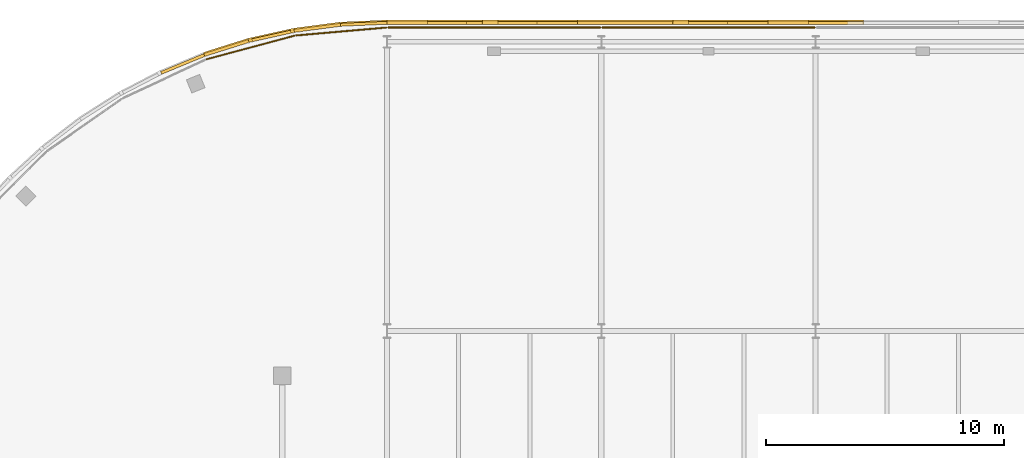
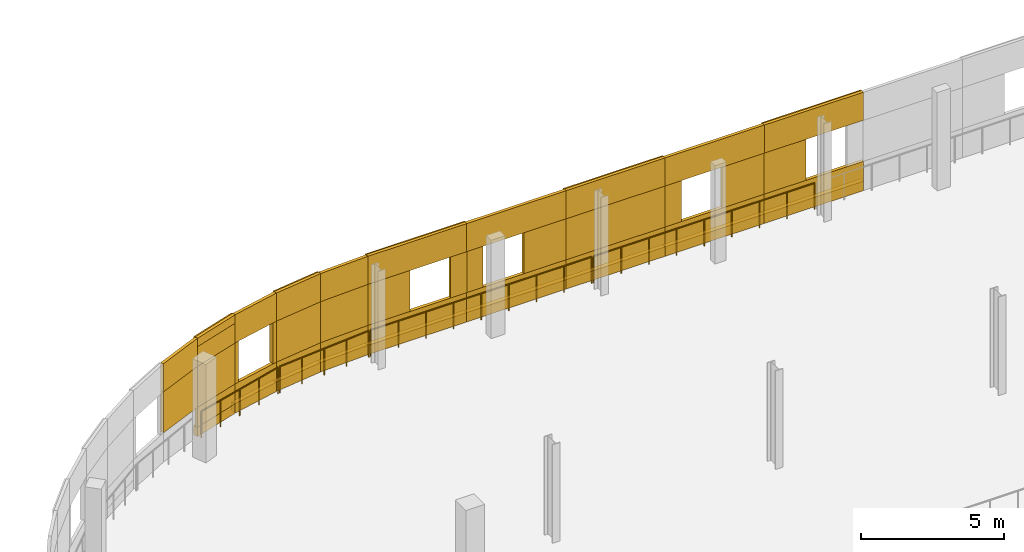
# One storey, part 125 of 135: 47 coverings, 4 railings.
"""IFC4 building model written with IfcOpenShell, lengths in metres."""

import ifcopenshell
import ifcopenshell.guid

model = None  # the IFC model being written
_history = None  # IfcOwnerHistory: only IFC2X3 demands one
_inside = {}  # id of a spatial element -> (the spatial element, [elements in it])
_under = {}  # id of a project, library or spatial element -> (it, [spatial elements below it])
_declared = {}  # id of a project -> (the project, [libraries it declares])
_typed = {}  # id of a type object -> (the type object, [elements of that type])
_made_of = {}  # id of a material, layer set ... -> (it, [elements and type objects made of it])


def new_model(schema):
    """Start an empty IFC model of exactly this schema.

    Asked for "IFC4X3", IfcOpenShell would pick the latest addendum, in which some entities
    have other attributes; the version numbers below select the first issue.
    IFC2X3 requires an IfcOwnerHistory on every rooted entity: one is made here for all.
    """
    global model, _history
    if schema == "IFC4X3":
        model = ifcopenshell.file(schema_version=(4, 3, 0, 0))
    else:
        model = ifcopenshell.file(schema=schema)
    _inside.clear()
    _under.clear()
    _declared.clear()
    _typed.clear()
    _made_of.clear()
    _history = None
    if model.schema == "IFC2X3":
        org = make("IfcOrganization", Name="unknown")
        user = make(
            "IfcPersonAndOrganization",
            ThePerson=make("IfcPerson", FamilyName="unknown"),
            TheOrganization=org,
        )
        app = make(
            "IfcApplication",
            ApplicationDeveloper=org,
            Version="unknown",
            ApplicationFullName="unknown",
            ApplicationIdentifier="unknown",
        )
        _history = make(
            "IfcOwnerHistory",
            OwningUser=user,
            OwningApplication=app,
            ChangeAction="ADDED",
            CreationDate=0,
        )
    return model


def make(cls, **values):
    """One entity of the class cls with the attributes given. An attribute that is None is left unset."""
    return model.create_entity(
        cls, **{name: value for name, value in values.items() if value is not None}
    )


def rooted(cls, **values):
    """An entity with a GlobalId (a new one), such as an element, a storey or a relation."""
    return make(cls, GlobalId=ifcopenshell.guid.new(), OwnerHistory=_history, **values)


def si_unit(unit_type, name, prefix=None):
    """IfcSIUnit, for example si_unit("LENGTHUNIT", "METRE", prefix="MILLI")."""
    return make("IfcSIUnit", UnitType=unit_type, Prefix=prefix, Name=name)


def assignment(units):
    """IfcUnitAssignment: the units of a project."""
    return None if units is None else make("IfcUnitAssignment", Units=units)


def point(xyz):
    """IfcCartesianPoint."""
    return None if xyz is None else make("IfcCartesianPoint", Coordinates=xyz)


def direction(xyz):
    """IfcDirection."""
    return None if xyz is None else make("IfcDirection", DirectionRatios=xyz)


def frame(location, z_axis=None, x_axis=None):
    """IfcAxis2Placement3D, a coordinate frame: its origin and axes. An axis left out is left unset."""
    return make(
        "IfcAxis2Placement3D",
        Location=point(location),
        Axis=direction(z_axis),
        RefDirection=direction(x_axis),
    )


def frame_2d(location, x_axis=None):
    """IfcAxis2Placement2D, a coordinate frame in the plane: its origin and x axis."""
    return make(
        "IfcAxis2Placement2D", Location=point(location), RefDirection=direction(x_axis)
    )


def origin():
    """The frame at (0, 0, 0) with its axes left unset."""
    return frame((0.0, 0.0, 0.0))


def origin_2d():
    """The frame at (0, 0) in the plane with its x axis left unset."""
    return frame_2d((0.0, 0.0))


def place(relative_to, where):
    """IfcLocalPlacement: puts the frame where relative to a parent placement (None: the world)."""
    return make(
        "IfcLocalPlacement", PlacementRelTo=relative_to, RelativePlacement=where
    )


def context(
    kind, dimensions, precision=None, world=None, true_north=None, identifier=None
):
    """IfcGeometricRepresentationContext, for example the 3D "Model" context."""
    return make(
        "IfcGeometricRepresentationContext",
        ContextIdentifier=identifier,
        ContextType=kind,
        CoordinateSpaceDimension=dimensions,
        Precision=precision,
        WorldCoordinateSystem=world,
        TrueNorth=true_north,
    )


def subcontext(parent, identifier, kind, view, scale=None):
    """IfcGeometricRepresentationSubContext, for example "Body" below "Model"."""
    return make(
        "IfcGeometricRepresentationSubContext",
        ContextIdentifier=identifier,
        ContextType=kind,
        ParentContext=parent,
        TargetScale=scale,
        TargetView=view,
    )


def project(units=None, contexts=None):
    """IfcProject with its units and contexts."""
    return rooted(
        "IfcProject",
        Name="project",
        RepresentationContexts=contexts,
        UnitsInContext=assignment(units),
    )


def spatial(cls, under=None, at=None, **own):
    """A site, building, storey or space (cls), placed at a placement, below another one or the project."""
    s = rooted(cls, ObjectPlacement=at, **own)
    if under is not None:
        _under.setdefault(under.id(), (under, []))[1].append(s)
    return s


def profile(cls, at=None, kind="AREA", **sizes):
    """A parametric profile (cls). Its sizes go by their IFC names, for example OverallWidth=200.0."""
    return make(cls, ProfileType=kind, Position=at, **sizes)


def rectangle(**sizes):
    """IfcRectangleProfileDef."""
    return profile("IfcRectangleProfileDef", **sizes)


def circle(**sizes):
    """IfcCircleProfileDef."""
    return profile("IfcCircleProfileDef", **sizes)


def extrude(swept, where, along, depth):
    """IfcExtrudedAreaSolid: the profile swept, set in the frame where, extruded along a direction by depth."""
    return make(
        "IfcExtrudedAreaSolid",
        SweptArea=swept,
        Position=where,
        ExtrudedDirection=direction(along),
        Depth=depth,
    )


def shape(context_of_items, identifier, shape_type, items):
    """IfcShapeRepresentation: the items that make up one representation, for example the "Body"."""
    return make(
        "IfcShapeRepresentation",
        ContextOfItems=context_of_items,
        RepresentationIdentifier=identifier,
        RepresentationType=shape_type,
        Items=items,
    )


def material(Name=None, Category=None):
    """IfcMaterial."""
    return make("IfcMaterial", Name=Name, Category=Category)


def layer(
    of_material, thickness, ventilated=None, Name=None, Category=None, Priority=None
):
    """IfcMaterialLayer: one layer of a wall or slab, of a material (None: an air gap)."""
    return make(
        "IfcMaterialLayer",
        Material=of_material,
        LayerThickness=thickness,
        IsVentilated=ventilated,
        Name=Name,
        Category=Category,
        Priority=Priority,
    )


def layer_set(layers, Name=None):
    """IfcMaterialLayerSet."""
    return make("IfcMaterialLayerSet", MaterialLayers=layers, LayerSetName=Name)


def made_of(thing, what):
    """Note that an element or type object is made of a material, layer set ...; save() writes the relation."""
    if what is not None:
        _made_of.setdefault(what.id(), (what, []))[1].append(thing)
    return thing


def type_object(cls, material=None, **own):
    """A type object (cls), such as IfcWallType, which elements share."""
    return made_of(rooted(cls, **own), material)


def element(
    cls,
    number,
    at=None,
    inside=None,
    cuts=None,
    type_object=None,
    material=None,
    context=None,
    identifier="Body",
    shape_type=None,
    held_by="IfcProductDefinitionShape",
    body=None,
    shapes=None,
    **own,
):
    """One element of the class cls, such as IfcWall. Its Tag is "e" and its number.

    at: its placement. inside: the storey or other place that contains it. cuts: it is an
    opening in that element (IfcRelVoidsElement). A single representation is given by context,
    identifier, shape_type and body (its items); several are given by shapes. held_by: the class
    of the entity that holds the representations. save() writes the other relations.
    """
    e = rooted(cls, Tag="e%d" % number, ObjectPlacement=at, **own)
    if body is not None:
        shapes = [shape(context, identifier, shape_type, body)]
    if shapes is not None:
        e.Representation = make(held_by, Representations=shapes)
    if inside is not None:
        _inside.setdefault(inside.id(), (inside, []))[1].append(e)
    if cuts is not None:
        rooted(
            "IfcRelVoidsElement", RelatingBuildingElement=cuts, RelatedOpeningElement=e
        )
    if type_object is not None:
        _typed.setdefault(type_object.id(), (type_object, []))[1].append(e)
    return made_of(e, material)


def aggregate(whole, parts):
    """IfcRelAggregates: a whole, such as a stair, and the parts it consists of."""
    return rooted("IfcRelAggregates", RelatingObject=whole, RelatedObjects=parts)


def save(model, path):
    """Write the relations noted so far, then the file.

    IfcRelAggregates (storeys below a building ...), IfcRelContainedInSpatialStructure (elements
    in a storey), IfcRelDefinesByType, IfcRelAssociatesMaterial and IfcRelDeclares: one each for
    every whole, place, type object, material and project.
    """
    for whole, parts in _under.values():
        aggregate(whole, parts)
    for where, things in _inside.values():
        rooted(
            "IfcRelContainedInSpatialStructure",
            RelatedElements=things,
            RelatingStructure=where,
        )
    for kind, things in _typed.values():
        rooted("IfcRelDefinesByType", RelatedObjects=things, RelatingType=kind)
    for what, things in _made_of.values():
        rooted("IfcRelAssociatesMaterial", RelatedObjects=things, RelatingMaterial=what)
    for by, libraries in _declared.values():
        rooted("IfcRelDeclares", RelatingContext=by, RelatedDefinitions=libraries)
    model.write(path)


model = new_model("IFC4")

# Units and contexts
model_context = context("Model", 3, precision=1e-05, world=origin(), true_north=direction((0.0, 1.0)))
body_context = subcontext(model_context, "Body", "Model", "MODEL_VIEW")
ifc_project = project(units=[si_unit("LENGTHUNIT", "METRE"), si_unit("AREAUNIT", "SQUARE_METRE"), si_unit("VOLUMEUNIT", "CUBIC_METRE"), si_unit("PLANEANGLEUNIT", "RADIAN"), si_unit("MASSUNIT", "GRAM", prefix="KILO")], contexts=[model_context])

# Site, building, storey
site_placement = place(None, origin())
site = spatial("IfcSite", under=ifc_project, at=site_placement, CompositionType="ELEMENT")
building_placement = place(site_placement, origin())
building = spatial("IfcBuilding", under=site, at=building_placement, Name="Deido Ridge Mobility Hub", CompositionType="ELEMENT")
storey_placement = place(building_placement, frame((0.0, 0.0, 4.199951171875)))
storey = spatial("IfcBuildingStorey", under=building, at=storey_placement, Name="L01", CompositionType="ELEMENT", Elevation=4.199951171875)

# Coverings
ifc_material_1 = material(Name="Fired clay brick masonry", Category="masonry")
ifc_layer = layer(ifc_material_1, 0.114990234375, Name="Fired clay brick masonry")
ifc_layer_set = layer_set([ifc_layer], Name="Fired clay brick masonry")
covering_type = type_object("IfcCoveringType", Name="COV-BRK-SCREEN-115", PredefinedType="CLADDING", material=ifc_layer_set)
covering_1_placement = place(storey_placement, frame((63.0, 125.947509765625, 0.0), z_axis=(0.0, 0.0, 1.0), x_axis=(-1.0, 0.0, 0.0)))
element("IfcCovering", 1, at=covering_1_placement, inside=storey, type_object=covering_type, Name="Open brickwork spandrel course BKS1 (L01)", PredefinedType="CLADDING", context=body_context, shape_type="SweptSolid", body=[
    extrude(rectangle(XDim=4.01611328125, YDim=0.125, at=origin_2d()), origin(), (0.0, 0.0, 1.0), 1.25),
])
covering_2_placement = place(storey_placement, frame((63.0, 125.97509765625, 0.0), z_axis=(0.0, 0.0, 1.0), x_axis=(-1.0, 0.0, 0.0)))
element("IfcCovering", 2, at=covering_2_placement, inside=storey, type_object=covering_type, Name="Raised brick relief belt BKS1 (L01)", PredefinedType="CLADDING", context=body_context, shape_type="SweptSolid", body=[
    extrude(rectangle(XDim=4.01611328125, YDim=0.179931640625, at=origin_2d()), origin(), (0.0, 0.0, 1.0), 0.39990234375),
])
covering_3_placement = place(storey_placement, frame((63.0, 125.947509765625, 3.0), z_axis=(0.0, 0.0, 1.0), x_axis=(-1.0, 0.0, 0.0)))
element("IfcCovering", 3, at=covering_3_placement, inside=storey, type_object=covering_type, Name="Open brickwork lintel course BKS1 (L01)", PredefinedType="CLADDING", context=body_context, shape_type="SweptSolid", body=[
    extrude(rectangle(XDim=4.01611328125, YDim=0.125, at=origin_2d()), origin(), (0.0, 0.0, 1.0), 1.199951171875),
])
covering_4_placement = place(storey_placement, frame((63.0, 125.97509765625, 3.83984375), z_axis=(0.0, 0.0, 1.0), x_axis=(-1.0, 0.0, 0.0)))
element("IfcCovering", 4, at=covering_4_placement, inside=storey, type_object=covering_type, Name="Raised brick relief cornice BKS1 (L01)", PredefinedType="CLADDING", context=body_context, shape_type="SweptSolid", body=[
    extrude(rectangle(XDim=4.01611328125, YDim=0.179931640625, at=origin_2d()), origin(), (0.0, 0.0, 1.0), 0.360107421875),
])
covering_5_placement = place(storey_placement, frame((61.847412109375, 125.97509765625, 1.25), z_axis=(0.0, 0.0, 1.0), x_axis=(-1.0, 0.0, 0.0)))
element("IfcCovering", 5, at=covering_5_placement, inside=storey, type_object=covering_type, Name="Open brickwork pier BKS1 (L01)", PredefinedType="CLADDING", context=body_context, shape_type="SweptSolid", body=[
    extrude(rectangle(XDim=1.695068359375, YDim=0.179931640625, at=origin_2d()), origin(), (0.0, 0.0, 1.0), 1.75),
])
covering_6_placement = place(storey_placement, frame((59.0, 125.947509765625, 0.0), z_axis=(0.0, 0.0, 1.0), x_axis=(-1.0, 0.0, 0.0)))
element("IfcCovering", 6, at=covering_6_placement, inside=storey, type_object=covering_type, Name="Open brickwork spandrel course BKS1 (L01)", PredefinedType="CLADDING", context=body_context, shape_type="SweptSolid", body=[
    extrude(rectangle(XDim=4.01611328125, YDim=0.125, at=origin_2d()), origin(), (0.0, 0.0, 1.0), 1.25),
])
covering_7_placement = place(storey_placement, frame((59.0, 125.97509765625, 0.0), z_axis=(0.0, 0.0, 1.0), x_axis=(-1.0, 0.0, 0.0)))
element("IfcCovering", 7, at=covering_7_placement, inside=storey, type_object=covering_type, Name="Raised brick relief belt BKS1 (L01)", PredefinedType="CLADDING", context=body_context, shape_type="SweptSolid", body=[
    extrude(rectangle(XDim=4.01611328125, YDim=0.179931640625, at=origin_2d()), origin(), (0.0, 0.0, 1.0), 0.39990234375),
])
covering_8_placement = place(storey_placement, frame((59.0, 125.947509765625, 3.0), z_axis=(0.0, 0.0, 1.0), x_axis=(-1.0, 0.0, 0.0)))
element("IfcCovering", 8, at=covering_8_placement, inside=storey, type_object=covering_type, Name="Open brickwork lintel course BKS1 (L01)", PredefinedType="CLADDING", context=body_context, shape_type="SweptSolid", body=[
    extrude(rectangle(XDim=4.01611328125, YDim=0.125, at=origin_2d()), origin(), (0.0, 0.0, 1.0), 1.199951171875),
])
covering_9_placement = place(storey_placement, frame((60.152587890625, 125.947509765625, 1.25), z_axis=(0.0, 0.0, 1.0), x_axis=(-1.0, 0.0, 0.0)))
element("IfcCovering", 9, at=covering_9_placement, inside=storey, type_object=covering_type, Name="Open brickwork pier BKS1 (L01)", PredefinedType="CLADDING", context=body_context, shape_type="SweptSolid", body=[
    extrude(rectangle(XDim=1.695068359375, YDim=0.125, at=origin_2d()), origin(), (0.0, 0.0, 1.0), 1.75),
])
covering_10_placement = place(storey_placement, frame((57.327392578125, 125.97509765625, 1.25), z_axis=(0.0, 0.0, 1.0), x_axis=(-1.0, 0.0, 0.0)))
element("IfcCovering", 10, at=covering_10_placement, inside=storey, type_object=covering_type, Name="Open brickwork pier BKS1 (L01)", PredefinedType="CLADDING", context=body_context, shape_type="SweptSolid", body=[
    extrude(rectangle(XDim=0.655029296875, YDim=0.179931640625, at=origin_2d()), origin(), (0.0, 0.0, 1.0), 1.75),
])
covering_11_placement = place(storey_placement, frame((55.0, 125.947509765625, 0.0), z_axis=(0.0, 0.0, 1.0), x_axis=(-1.0, 0.0, 0.0)))
element("IfcCovering", 11, at=covering_11_placement, inside=storey, type_object=covering_type, Name="Open brickwork spandrel course BKS1 (L01)", PredefinedType="CLADDING", context=body_context, shape_type="SweptSolid", body=[
    extrude(rectangle(XDim=4.01611328125, YDim=0.125, at=origin_2d()), origin(), (0.0, 0.0, 1.0), 1.25),
])
covering_12_placement = place(storey_placement, frame((55.0, 125.97509765625, 0.0), z_axis=(0.0, 0.0, 1.0), x_axis=(-1.0, 0.0, 0.0)))
element("IfcCovering", 12, at=covering_12_placement, inside=storey, type_object=covering_type, Name="Raised brick relief belt BKS1 (L01)", PredefinedType="CLADDING", context=body_context, shape_type="SweptSolid", body=[
    extrude(rectangle(XDim=4.01611328125, YDim=0.179931640625, at=origin_2d()), origin(), (0.0, 0.0, 1.0), 0.39990234375),
])
covering_13_placement = place(storey_placement, frame((55.0, 125.947509765625, 3.0), z_axis=(0.0, 0.0, 1.0), x_axis=(-1.0, 0.0, 0.0)))
element("IfcCovering", 13, at=covering_13_placement, inside=storey, type_object=covering_type, Name="Open brickwork lintel course BKS1 (L01)", PredefinedType="CLADDING", context=body_context, shape_type="SweptSolid", body=[
    extrude(rectangle(XDim=4.01611328125, YDim=0.125, at=origin_2d()), origin(), (0.0, 0.0, 1.0), 1.199951171875),
])
covering_14_placement = place(storey_placement, frame((55.0, 125.97509765625, 3.83984375), z_axis=(0.0, 0.0, 1.0), x_axis=(-1.0, 0.0, 0.0)))
element("IfcCovering", 14, at=covering_14_placement, inside=storey, type_object=covering_type, Name="Raised brick relief cornice BKS1 (L01)", PredefinedType="CLADDING", context=body_context, shape_type="SweptSolid", body=[
    extrude(rectangle(XDim=4.01611328125, YDim=0.179931640625, at=origin_2d()), origin(), (0.0, 0.0, 1.0), 0.360107421875),
])
covering_15_placement = place(storey_placement, frame((55.0, 125.97509765625, 1.25), z_axis=(0.0, 0.0, 1.0), x_axis=(-1.0, 0.0, 0.0)))
element("IfcCovering", 15, at=covering_15_placement, inside=storey, type_object=covering_type, Name="Raised brick relief panel BKS1 (L01)", PredefinedType="CLADDING", context=body_context, shape_type="SweptSolid", body=[
    extrude(rectangle(XDim=4.008056640625, YDim=0.179931640625, at=origin_2d()), origin(), (0.0, 0.0, 1.0), 1.75),
])
covering_16_placement = place(storey_placement, frame((51.0, 125.947509765625, 0.0), z_axis=(0.0, 0.0, 1.0), x_axis=(-1.0, 0.0, 0.0)))
element("IfcCovering", 16, at=covering_16_placement, inside=storey, type_object=covering_type, Name="Open brickwork spandrel course BKS1 (L01)", PredefinedType="CLADDING", context=body_context, shape_type="SweptSolid", body=[
    extrude(rectangle(XDim=4.01611328125, YDim=0.125, at=origin_2d()), origin(), (0.0, 0.0, 1.0), 1.25),
])
covering_17_placement = place(storey_placement, frame((51.0, 125.97509765625, 0.0), z_axis=(0.0, 0.0, 1.0), x_axis=(-1.0, 0.0, 0.0)))
element("IfcCovering", 17, at=covering_17_placement, inside=storey, type_object=covering_type, Name="Raised brick relief belt BKS1 (L01)", PredefinedType="CLADDING", context=body_context, shape_type="SweptSolid", body=[
    extrude(rectangle(XDim=4.01611328125, YDim=0.179931640625, at=origin_2d()), origin(), (0.0, 0.0, 1.0), 0.39990234375),
])
covering_18_placement = place(storey_placement, frame((51.0, 125.947509765625, 3.0), z_axis=(0.0, 0.0, 1.0), x_axis=(-1.0, 0.0, 0.0)))
element("IfcCovering", 18, at=covering_18_placement, inside=storey, type_object=covering_type, Name="Open brickwork lintel course BKS1 (L01)", PredefinedType="CLADDING", context=body_context, shape_type="SweptSolid", body=[
    extrude(rectangle(XDim=4.01611328125, YDim=0.125, at=origin_2d()), origin(), (0.0, 0.0, 1.0), 1.199951171875),
])
covering_19_placement = place(storey_placement, frame((52.152587890625, 125.947509765625, 1.25), z_axis=(0.0, 0.0, 1.0), x_axis=(-1.0, 0.0, 0.0)))
element("IfcCovering", 19, at=covering_19_placement, inside=storey, type_object=covering_type, Name="Open brickwork pier BKS1 (L01)", PredefinedType="CLADDING", context=body_context, shape_type="SweptSolid", body=[
    extrude(rectangle(XDim=1.695068359375, YDim=0.125, at=origin_2d()), origin(), (0.0, 0.0, 1.0), 1.75),
])
covering_20_placement = place(storey_placement, frame((49.327392578125, 125.97509765625, 1.25), z_axis=(0.0, 0.0, 1.0), x_axis=(-1.0, 0.0, 0.0)))
element("IfcCovering", 20, at=covering_20_placement, inside=storey, type_object=covering_type, Name="Open brickwork pier BKS1 (L01)", PredefinedType="CLADDING", context=body_context, shape_type="SweptSolid", body=[
    extrude(rectangle(XDim=0.655029296875, YDim=0.179931640625, at=origin_2d()), origin(), (0.0, 0.0, 1.0), 1.75),
])
covering_21_placement = place(storey_placement, frame((47.0, 125.947509765625, 0.0), z_axis=(0.0, 0.0, 1.0), x_axis=(-1.0, 0.0, 0.0)))
element("IfcCovering", 21, at=covering_21_placement, inside=storey, type_object=covering_type, Name="Open brickwork spandrel course BKS1 (L01)", PredefinedType="CLADDING", context=body_context, shape_type="SweptSolid", body=[
    extrude(rectangle(XDim=4.01611328125, YDim=0.125, at=origin_2d()), origin(), (0.0, 0.0, 1.0), 1.25),
])
covering_22_placement = place(storey_placement, frame((47.0, 125.97509765625, 0.0), z_axis=(0.0, 0.0, 1.0), x_axis=(-1.0, 0.0, 0.0)))
element("IfcCovering", 22, at=covering_22_placement, inside=storey, type_object=covering_type, Name="Raised brick relief belt BKS1 (L01)", PredefinedType="CLADDING", context=body_context, shape_type="SweptSolid", body=[
    extrude(rectangle(XDim=4.01611328125, YDim=0.179931640625, at=origin_2d()), origin(), (0.0, 0.0, 1.0), 0.39990234375),
])
covering_23_placement = place(storey_placement, frame((47.0, 125.947509765625, 3.0), z_axis=(0.0, 0.0, 1.0), x_axis=(-1.0, 0.0, 0.0)))
element("IfcCovering", 23, at=covering_23_placement, inside=storey, type_object=covering_type, Name="Open brickwork lintel course BKS1 (L01)", PredefinedType="CLADDING", context=body_context, shape_type="SweptSolid", body=[
    extrude(rectangle(XDim=4.01611328125, YDim=0.125, at=origin_2d()), origin(), (0.0, 0.0, 1.0), 1.199951171875),
])
covering_24_placement = place(storey_placement, frame((47.0, 125.97509765625, 3.83984375), z_axis=(0.0, 0.0, 1.0), x_axis=(-1.0, 0.0, 0.0)))
element("IfcCovering", 24, at=covering_24_placement, inside=storey, type_object=covering_type, Name="Raised brick relief cornice BKS1 (L01)", PredefinedType="CLADDING", context=body_context, shape_type="SweptSolid", body=[
    extrude(rectangle(XDim=4.01611328125, YDim=0.179931640625, at=origin_2d()), origin(), (0.0, 0.0, 1.0), 0.360107421875),
])
covering_25_placement = place(storey_placement, frame((48.672607421875, 125.947509765625, 1.25), z_axis=(0.0, 0.0, 1.0), x_axis=(-1.0, 0.0, 0.0)))
element("IfcCovering", 25, at=covering_25_placement, inside=storey, type_object=covering_type, Name="Open brickwork pier BKS1 (L01)", PredefinedType="CLADDING", context=body_context, shape_type="SweptSolid", body=[
    extrude(rectangle(XDim=0.655029296875, YDim=0.125, at=origin_2d()), origin(), (0.0, 0.0, 1.0), 1.75),
])
covering_26_placement = place(storey_placement, frame((45.847412109375, 125.97509765625, 1.25), z_axis=(0.0, 0.0, 1.0), x_axis=(-1.0, 0.0, 0.0)))
element("IfcCovering", 26, at=covering_26_placement, inside=storey, type_object=covering_type, Name="Open brickwork pier BKS1 (L01)", PredefinedType="CLADDING", context=body_context, shape_type="SweptSolid", body=[
    extrude(rectangle(XDim=1.695068359375, YDim=0.179931640625, at=origin_2d()), origin(), (0.0, 0.0, 1.0), 1.75),
])
covering_27_placement = place(storey_placement, frame((44.021728515625, 125.90478515625, 0.0), z_axis=(0.0, 0.0, 1.0), x_axis=(-0.999048982732, -0.043601950678, 0.0)))
element("IfcCovering", 27, at=covering_27_placement, inside=storey, type_object=covering_type, Name="Open brickwork spandrel course BKS1 (L01)", PredefinedType="CLADDING", context=body_context, shape_type="SweptSolid", body=[
    extrude(rectangle(XDim=1.9619140625, YDim=0.125, at=origin_2d()), origin(), (0.0, 0.0, 1.0), 1.25),
])
covering_28_placement = place(storey_placement, frame((44.0205078125, 125.932373046875, 0.0), z_axis=(0.0, 0.0, 1.0), x_axis=(-0.999048982732, -0.043601950678, 0.0)))
element("IfcCovering", 28, at=covering_28_placement, inside=storey, type_object=covering_type, Name="Raised brick relief belt BKS1 (L01)", PredefinedType="CLADDING", context=body_context, shape_type="SweptSolid", body=[
    extrude(rectangle(XDim=1.9619140625, YDim=0.179931640625, at=origin_2d()), origin(), (0.0, 0.0, 1.0), 0.39990234375),
])
covering_29_placement = place(storey_placement, frame((44.021728515625, 125.90478515625, 3.0), z_axis=(0.0, 0.0, 1.0), x_axis=(-0.999048982732, -0.043601950678, 0.0)))
element("IfcCovering", 29, at=covering_29_placement, inside=storey, type_object=covering_type, Name="Open brickwork lintel course BKS1 (L01)", PredefinedType="CLADDING", context=body_context, shape_type="SweptSolid", body=[
    extrude(rectangle(XDim=1.9619140625, YDim=0.125, at=origin_2d()), origin(), (0.0, 0.0, 1.0), 1.199951171875),
])
covering_30_placement = place(storey_placement, frame((44.021728515625, 125.90478515625, 1.25), z_axis=(0.0, 0.0, 1.0), x_axis=(-0.999048982732, -0.043601950678, 0.0)))
element("IfcCovering", 30, at=covering_30_placement, inside=storey, type_object=covering_type, Name="Curved raised brickwork pier BKS1 (L01)", PredefinedType="CLADDING", context=body_context, shape_type="SweptSolid", body=[
    extrude(rectangle(XDim=1.9619140625, YDim=0.125, at=origin_2d()), origin(), (0.0, 0.0, 1.0), 1.75),
])
covering_31_placement = place(storey_placement, frame((42.07275390625, 125.734375, 0.0), z_axis=(0.0, 0.0, 1.0), x_axis=(-0.991442583111, -0.130543496177, 0.0)))
element("IfcCovering", 31, at=covering_31_placement, inside=storey, type_object=covering_type, Name="Open brickwork spandrel course BKS1 (L01)", PredefinedType="CLADDING", context=body_context, shape_type="SweptSolid", body=[
    extrude(rectangle(XDim=1.9619140625, YDim=0.125, at=origin_2d()), origin(), (0.0, 0.0, 1.0), 1.25),
])
covering_32_placement = place(storey_placement, frame((42.069091796875, 125.76171875, 0.0), z_axis=(0.0, 0.0, 1.0), x_axis=(-0.991442583111, -0.130543496177, 0.0)))
element("IfcCovering", 32, at=covering_32_placement, inside=storey, type_object=covering_type, Name="Raised brick relief belt BKS1 (L01)", PredefinedType="CLADDING", context=body_context, shape_type="SweptSolid", body=[
    extrude(rectangle(XDim=1.9619140625, YDim=0.179931640625, at=origin_2d()), origin(), (0.0, 0.0, 1.0), 0.39990234375),
])
covering_33_placement = place(storey_placement, frame((42.07275390625, 125.734375, 3.0), z_axis=(0.0, 0.0, 1.0), x_axis=(-0.991442583111, -0.130543496177, 0.0)))
element("IfcCovering", 33, at=covering_33_placement, inside=storey, type_object=covering_type, Name="Open brickwork lintel course BKS1 (L01)", PredefinedType="CLADDING", context=body_context, shape_type="SweptSolid", body=[
    extrude(rectangle(XDim=1.9619140625, YDim=0.125, at=origin_2d()), origin(), (0.0, 0.0, 1.0), 1.199951171875),
])
covering_34_placement = place(storey_placement, frame((42.069091796875, 125.76171875, 3.83984375), z_axis=(0.0, 0.0, 1.0), x_axis=(-0.991442583111, -0.130543496177, 0.0)))
element("IfcCovering", 34, at=covering_34_placement, inside=storey, type_object=covering_type, Name="Raised brick relief cornice BKS1 (L01)", PredefinedType="CLADDING", context=body_context, shape_type="SweptSolid", body=[
    extrude(rectangle(XDim=1.9619140625, YDim=0.179931640625, at=origin_2d()), origin(), (0.0, 0.0, 1.0), 0.360107421875),
])
covering_35_placement = place(storey_placement, frame((42.069091796875, 125.76171875, 1.25), z_axis=(0.0, 0.0, 1.0), x_axis=(-0.991442583111, -0.130543496177, 0.0)))
element("IfcCovering", 35, at=covering_35_placement, inside=storey, type_object=covering_type, Name="Curved raised brickwork pier BKS1 (L01)", PredefinedType="CLADDING", context=body_context, shape_type="SweptSolid", body=[
    extrude(rectangle(XDim=1.9619140625, YDim=0.179931640625, at=origin_2d()), origin(), (0.0, 0.0, 1.0), 1.75),
])
covering_36_placement = place(storey_placement, frame((40.14599609375, 125.39453125, 0.0), z_axis=(0.0, 0.0, 1.0), x_axis=(-0.976292229387, -0.216456653485, 0.0)))
element("IfcCovering", 36, at=covering_36_placement, inside=storey, type_object=covering_type, Name="Open brickwork spandrel course BKS1 (L01)", PredefinedType="CLADDING", context=body_context, shape_type="SweptSolid", body=[
    extrude(rectangle(XDim=1.9619140625, YDim=0.125, at=origin_2d()), origin(), (0.0, 0.0, 1.0), 1.25),
])
covering_37_placement = place(storey_placement, frame((40.14013671875, 125.42138671875, 0.0), z_axis=(0.0, 0.0, 1.0), x_axis=(-0.976292229387, -0.216456653485, 0.0)))
element("IfcCovering", 37, at=covering_37_placement, inside=storey, type_object=covering_type, Name="Raised brick relief belt BKS1 (L01)", PredefinedType="CLADDING", context=body_context, shape_type="SweptSolid", body=[
    extrude(rectangle(XDim=1.9619140625, YDim=0.179931640625, at=origin_2d()), origin(), (0.0, 0.0, 1.0), 0.39990234375),
])
covering_38_placement = place(storey_placement, frame((40.14599609375, 125.39453125, 3.0), z_axis=(0.0, 0.0, 1.0), x_axis=(-0.976292229387, -0.216456653485, 0.0)))
element("IfcCovering", 38, at=covering_38_placement, inside=storey, type_object=covering_type, Name="Open brickwork lintel course BKS1 (L01)", PredefinedType="CLADDING", context=body_context, shape_type="SweptSolid", body=[
    extrude(rectangle(XDim=1.9619140625, YDim=0.125, at=origin_2d()), origin(), (0.0, 0.0, 1.0), 1.199951171875),
])
for number, where, z_axis, x_axis, name in (
    (39, (41.019775390625, 125.616455078125, 1.25), (0.0, 0.0, 1.0), (-0.976292229387, -0.216456653485, 0.0), "Curved brick jamb nib BKS1 (L01)"),
    (40, (39.260498046875, 125.226318359375, 1.25), (0.0, 0.0, 1.0), (-0.976292229387, -0.216456653485, 0.0), "Curved brick jamb nib BKS1 (L01)"),
):
    element("IfcCovering", number, at=place(storey_placement, frame(where, z_axis=z_axis, x_axis=x_axis)), inside=storey, type_object=covering_type, Name=name, PredefinedType="CLADDING", context=body_context, shape_type="SweptSolid", body=[
        extrude(rectangle(XDim=0.152099609375, YDim=0.179931640625, at=origin_2d()), origin(), (0.0, 0.0, 1.0), 1.75),
    ])
covering_39_placement = place(storey_placement, frame((38.25634765625, 124.88818359375, 0.0), z_axis=(0.0, 0.0, 1.0), x_axis=(-0.95372744678, -0.300672508319, 0.0)))
element("IfcCovering", 41, at=covering_39_placement, inside=storey, type_object=covering_type, Name="Open brickwork spandrel course BKS1 (L01)", PredefinedType="CLADDING", context=body_context, shape_type="SweptSolid", body=[
    extrude(rectangle(XDim=1.9619140625, YDim=0.125, at=origin_2d()), origin(), (0.0, 0.0, 1.0), 1.25),
])
covering_40_placement = place(storey_placement, frame((38.248046875, 124.914306640625, 0.0), z_axis=(0.0, 0.0, 1.0), x_axis=(-0.95372744678, -0.300672508319, 0.0)))
element("IfcCovering", 42, at=covering_40_placement, inside=storey, type_object=covering_type, Name="Raised brick relief belt BKS1 (L01)", PredefinedType="CLADDING", context=body_context, shape_type="SweptSolid", body=[
    extrude(rectangle(XDim=1.9619140625, YDim=0.179931640625, at=origin_2d()), origin(), (0.0, 0.0, 1.0), 0.39990234375),
])
covering_41_placement = place(storey_placement, frame((38.25634765625, 124.88818359375, 3.0), z_axis=(0.0, 0.0, 1.0), x_axis=(-0.95372744678, -0.300672508319, 0.0)))
element("IfcCovering", 43, at=covering_41_placement, inside=storey, type_object=covering_type, Name="Open brickwork lintel course BKS1 (L01)", PredefinedType="CLADDING", context=body_context, shape_type="SweptSolid", body=[
    extrude(rectangle(XDim=1.9619140625, YDim=0.125, at=origin_2d()), origin(), (0.0, 0.0, 1.0), 1.199951171875),
])
covering_42_placement = place(storey_placement, frame((38.248046875, 124.914306640625, 3.83984375), z_axis=(0.0, 0.0, 1.0), x_axis=(-0.95372744678, -0.300672508319, 0.0)))
element("IfcCovering", 44, at=covering_42_placement, inside=storey, type_object=covering_type, Name="Raised brick relief cornice BKS1 (L01)", PredefinedType="CLADDING", context=body_context, shape_type="SweptSolid", body=[
    extrude(rectangle(XDim=1.9619140625, YDim=0.179931640625, at=origin_2d()), origin(), (0.0, 0.0, 1.0), 0.360107421875),
])
covering_43_placement = place(storey_placement, frame((38.248046875, 124.914306640625, 1.25), z_axis=(0.0, 0.0, 1.0), x_axis=(-0.95372744678, -0.300672508319, 0.0)))
element("IfcCovering", 45, at=covering_43_placement, inside=storey, type_object=covering_type, Name="Curved raised brickwork pier BKS1 (L01)", PredefinedType="CLADDING", context=body_context, shape_type="SweptSolid", body=[
    extrude(rectangle(XDim=1.9619140625, YDim=0.179931640625, at=origin_2d()), origin(), (0.0, 0.0, 1.0), 1.75),
])
covering_44_placement = place(storey_placement, frame((36.41796875, 124.218994140625, 3.0), z_axis=(0.0, 0.0, 1.0), x_axis=(-0.923872853285, -0.382699557047, 0.0)))
element("IfcCovering", 46, at=covering_44_placement, inside=storey, type_object=covering_type, Name="Open brickwork lintel course BKS1 (L01)", PredefinedType="CLADDING", context=body_context, shape_type="SweptSolid", body=[
    extrude(rectangle(XDim=1.9619140625, YDim=0.125, at=origin_2d()), origin(), (0.0, 0.0, 1.0), 1.199951171875),
])
covering_45_placement = place(storey_placement, frame((36.41796875, 124.218994140625, 1.25), z_axis=(0.0, 0.0, 1.0), x_axis=(-0.923872853285, -0.382699557047, 0.0)))
element("IfcCovering", 47, at=covering_45_placement, inside=storey, type_object=covering_type, Name="Curved raised brickwork pier BKS1 (L01)", PredefinedType="CLADDING", context=body_context, shape_type="SweptSolid", body=[
    extrude(rectangle(XDim=1.9619140625, YDim=0.125, at=origin_2d()), origin(), (0.0, 0.0, 1.0), 1.75),
])

# Railings
ifc_material_2 = material(Name="Galvanised steel work", Category="steel")
railing_type = type_object("IfcRailingType", Name="RL-GRD-EXT-1150", PredefinedType="GUARDRAIL", material=ifc_material_2)
for number, where, name in (
    (48, (62.9599609375, 125.75, 0.0), "Parking drum perimeter guard (L01)"),
    (49, (53.9599609375, 125.75, 0.0), "Parking drum perimeter guard (L01)"),
):
    element("IfcRailing", number, at=place(storey_placement, frame(where)), inside=storey, type_object=railing_type, Name=name, PredefinedType="GUARDRAIL", context=body_context, shape_type="SweptSolid", body=[
        extrude(circle(Radius=0.02392578125, at=origin_2d()), frame((0.0, 0.0, 1.1259765625), z_axis=(-1.0, 0.0, 0.0), x_axis=(0.0, -1.0, 0.0)), (0.0, 0.0, 1.0), 8.919921875),
        extrude(circle(Radius=0.02099609375, at=origin_2d()), origin(), (0.0, 0.0, 1.0), 1.101806640625),
        extrude(circle(Radius=0.02099609375, at=origin_2d()), frame((-1.114990234375, 0.0, 0.0)), (0.0, 0.0, 1.0), 1.101806640625),
        extrude(circle(Radius=0.02099609375, at=origin_2d()), frame((-2.22998046875, 0.0, 0.0)), (0.0, 0.0, 1.0), 1.101806640625),
        extrude(circle(Radius=0.02099609375, at=origin_2d()), frame((-3.344970703125, 0.0, 0.0)), (0.0, 0.0, 1.0), 1.101806640625),
        extrude(circle(Radius=0.02099609375, at=origin_2d()), frame((-4.4599609375, 0.0, 0.0)), (0.0, 0.0, 1.0), 1.101806640625),
        extrude(circle(Radius=0.02099609375, at=origin_2d()), frame((-5.574951171875, 0.0, 0.0)), (0.0, 0.0, 1.0), 1.101806640625),
        extrude(circle(Radius=0.02099609375, at=origin_2d()), frame((-6.68994140625, 0.0, 0.0)), (0.0, 0.0, 1.0), 1.101806640625),
        extrude(circle(Radius=0.02099609375, at=origin_2d()), frame((-7.804931640625, 0.0, 0.0)), (0.0, 0.0, 1.0), 1.101806640625),
        extrude(circle(Radius=0.02099609375, at=origin_2d()), frame((-8.919921875, 0.0, 0.0)), (0.0, 0.0, 1.0), 1.101806640625),
    ])
railing_1_placement = place(storey_placement, frame((44.960205078125, 125.74658203125, 0.0)))
element("IfcRailing", 50, at=railing_1_placement, inside=storey, type_object=railing_type, Name="Parking drum perimeter guard (L01)", PredefinedType="GUARDRAIL", context=body_context, shape_type="SweptSolid", body=[
    extrude(circle(Radius=0.02392578125, at=origin_2d()), frame((0.0, 0.0, 1.1259765625), z_axis=(-0.996195112607, -0.08715100469, 0.0), x_axis=(0.08715100469, -0.996195112607, 0.0)), (0.0, 0.0, 1.0), 3.798583984375),
    extrude(circle(Radius=0.02099609375, at=origin_2d()), origin(), (0.0, 0.0, 1.0), 1.101806640625),
    extrude(circle(Radius=0.02099609375, at=origin_2d()), frame((-0.946044921875, -0.082763671875, 0.0)), (0.0, 0.0, 1.0), 1.101806640625),
    extrude(circle(Radius=0.02099609375, at=origin_2d()), frame((-1.89208984375, -0.16552734375, 0.0)), (0.0, 0.0, 1.0), 1.101806640625),
    extrude(circle(Radius=0.02099609375, at=origin_2d()), frame((-2.838134765625, -0.248291015625, 0.0)), (0.0, 0.0, 1.0), 1.101806640625),
    extrude(circle(Radius=0.02099609375, at=origin_2d()), frame((-3.7841796875, -0.3310546875, 0.0)), (0.0, 0.0, 1.0), 1.101806640625),
])
railing_2_placement = place(storey_placement, frame((41.09765625, 125.401611328125, 0.0)))
element("IfcRailing", 51, at=railing_2_placement, inside=storey, type_object=railing_type, Name="Parking drum perimeter guard (L01)", PredefinedType="GUARDRAIL", context=body_context, shape_type="SweptSolid", body=[
    extrude(circle(Radius=0.02392578125, at=origin_2d()), frame((0.0, 0.0, 1.1259765625), z_axis=(-0.965937723757, -0.258774639064, 0.0), x_axis=(0.258774639064, -0.965937723757, 0.0)), (0.0, 0.0, 1.0), 3.79833984375),
    extrude(circle(Radius=0.02099609375, at=origin_2d()), origin(), (0.0, 0.0, 1.0), 1.101806640625),
    extrude(circle(Radius=0.02099609375, at=origin_2d()), frame((-0.917236328125, -0.24560546875, 0.0)), (0.0, 0.0, 1.0), 1.101806640625),
    extrude(circle(Radius=0.02099609375, at=origin_2d()), frame((-1.83447265625, -0.491455078125, 0.0)), (0.0, 0.0, 1.0), 1.101806640625),
    extrude(circle(Radius=0.02099609375, at=origin_2d()), frame((-2.751708984375, -0.7373046875, 0.0)), (0.0, 0.0, 1.0), 1.101806640625),
    extrude(circle(Radius=0.02099609375, at=origin_2d()), frame((-3.6689453125, -0.98291015625, 0.0)), (0.0, 0.0, 1.0), 1.101806640625),
])

save(model, "model.ifc")
